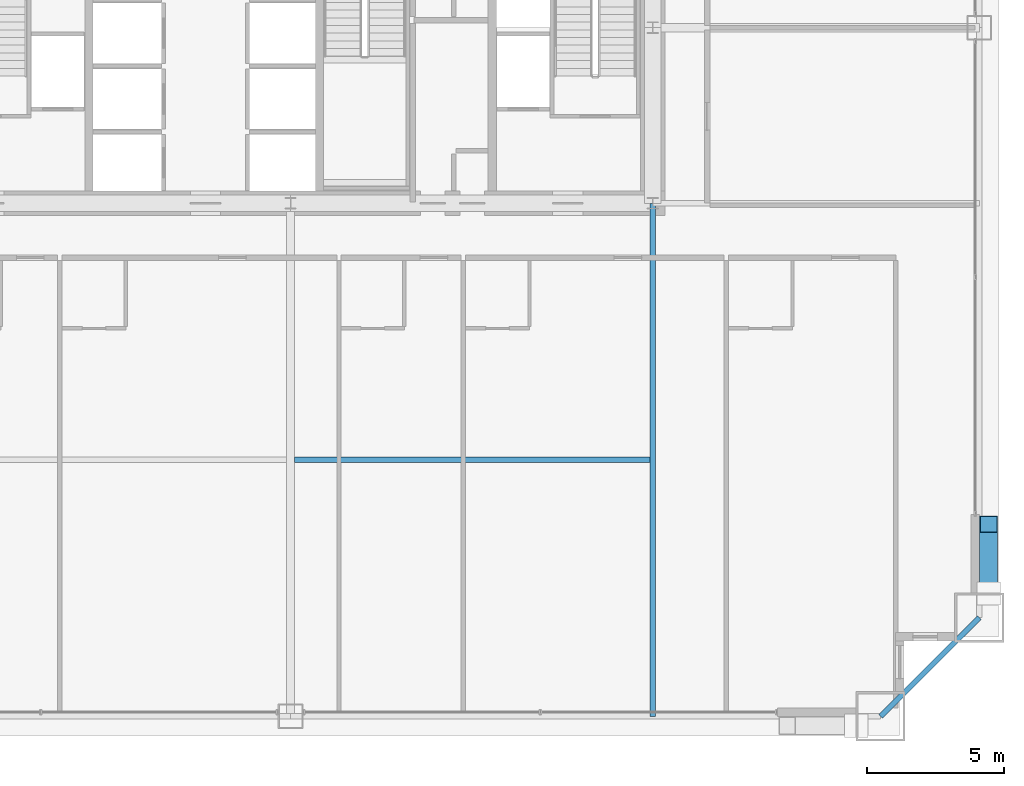
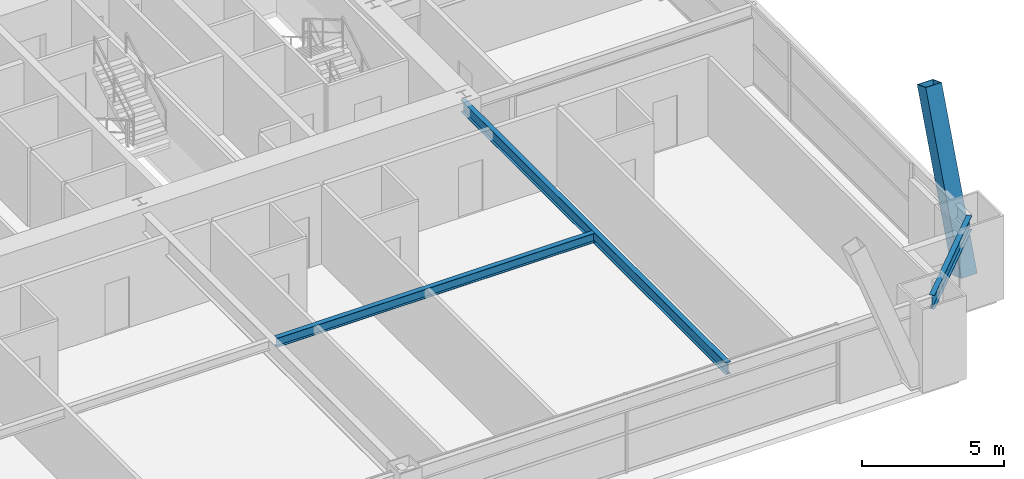
# One storey, part 16 of 43: 3 beams, 1 member.
"""IFC4 building model written with IfcOpenShell, lengths in metres."""

from ifc_helpers import new_model, si_unit, direction, frame, origin, origin_2d, place, context, subcontext, project, spatial, hollow_rectangle, i_section, extrude, source, transform, mapped, material, material_profile, profile_set, type_object, element, save


model = new_model("IFC4")

# Units and contexts
model_context = context("Model", 3, precision=1e-05, world=origin(), true_north=direction((0.0, 1.0)))
body_context = subcontext(model_context, "Body", "Model", "MODEL_VIEW")
ifc_project = project(units=[si_unit("LENGTHUNIT", "METRE"), si_unit("AREAUNIT", "SQUARE_METRE"), si_unit("VOLUMEUNIT", "CUBIC_METRE"), si_unit("PLANEANGLEUNIT", "RADIAN"), si_unit("MASSUNIT", "GRAM", prefix="KILO"), si_unit("THERMODYNAMICTEMPERATUREUNIT", "KELVIN"), si_unit("POWERUNIT", "WATT")], contexts=[model_context])

# Site, building, storey
site_placement = place(None, origin())
site = spatial("IfcSite", under=ifc_project, at=site_placement, CompositionType="ELEMENT")
building_placement = place(site_placement, origin())
building = spatial("IfcBuilding", under=site, at=building_placement, Name="Yuzanri Waterfront Tower", CompositionType="ELEMENT")
storey_placement = place(building_placement, frame((0.0, 0.0, 67.60009765625)))
storey = spatial("IfcBuildingStorey", under=building, at=storey_placement, Name="L17", CompositionType="ELEMENT", Elevation=67.60009765625)

# Beams
ifc_material_1 = material(Name="Steel Q355B", Category="steel")
ifc_material_profile_1 = material_profile(ifc_material_1, i_section(OverallWidth=0.199951171875, OverallDepth=0.60009765625, WebThickness=0.010986328125, FlangeThickness=0.01708984375, at=origin_2d()), Name="HN 600x200x11x17")
ifc_profile_set_1 = profile_set([ifc_material_profile_1], Name="Steel Q355B")
beam_type_1 = type_object("IfcBeamType", Name="Perimeter Spandrel Q355B HN 600x200", PredefinedType="SPANDREL", material=ifc_profile_set_1)
shared_shape_1 = source(origin(), body_context, "Body", "SweptSolid", [
    extrude(i_section(OverallWidth=0.199951171875, OverallDepth=0.60009765625, WebThickness=0.010986328125, FlangeThickness=0.01708984375, at=origin_2d()), origin(), (0.0, 0.0, 1.0), 5.09130859375),
])
beam_1_placement = place(storey_placement, frame((58.5, 0.699951171875, 3.079833984375), z_axis=(0.707106781187, 0.707106781187, 0.0), x_axis=(-0.707106781187, 0.707106781187, 0.0)))
element("IfcBeam", 1, at=beam_1_placement, inside=storey, type_object=beam_type_1, Name="L17 Perimeter Spandrel S3-E1", PredefinedType="SPANDREL", context=body_context, shape_type="MappedRepresentation", body=[
    mapped(shared_shape_1, transform((0.0, 0.0, 0.0), scale=1.0)),
])
ifc_material_2 = material(Name="Steel Q355B", Category="steel")
ifc_material_profile_2 = material_profile(ifc_material_2, i_section(OverallWidth=0.199951171875, OverallDepth=0.5, WebThickness=0.010009765625, FlangeThickness=0.01611328125, at=origin_2d()), Name="HN 500x200x10x16")
ifc_profile_set_2 = profile_set([ifc_material_profile_2], Name="Steel Q355B")
beam_type_2 = type_object("IfcBeamType", Name="Secondary Floor Beam Q355B HN 500x200", PredefinedType="BEAM", material=ifc_profile_set_2)
shared_shape_2 = source(origin(), body_context, "Body", "SweptSolid", [
    extrude(i_section(OverallWidth=0.199951171875, OverallDepth=0.5, WebThickness=0.010009765625, FlangeThickness=0.01611328125, at=origin_2d()), origin(), (0.0, 0.0, 1.0), 18.699951171875),
])
beam_2_placement = place(storey_placement, frame((50.199951171875, 19.39990234375, 3.1298828125), z_axis=(0.0, -1.0, 0.0), x_axis=(1.0, 0.0, 0.0)))
element("IfcBeam", 2, at=beam_2_placement, inside=storey, type_object=beam_type_2, Name="L17 South-East Core Line Beam", PredefinedType="BEAM", context=body_context, shape_type="MappedRepresentation", body=[
    mapped(shared_shape_2, transform((0.0, 0.0, 0.0), scale=1.0)),
])
ifc_material_3 = material(Name="Steel Q355B", Category="steel")
ifc_material_profile_3 = material_profile(ifc_material_3, i_section(OverallWidth=0.199951171875, OverallDepth=0.39990234375, WebThickness=0.008056640625, FlangeThickness=0.012939453125, at=origin_2d()), Name="HN 400x200x8x13")
ifc_profile_set_3 = profile_set([ifc_material_profile_3], Name="Steel Q355B")
beam_type_3 = type_object("IfcBeamType", Name="Floor Joist Q355B HN 400x200", PredefinedType="JOIST", material=ifc_profile_set_3)
shared_shape_3 = source(origin(), body_context, "Body", "SweptSolid", [
    extrude(i_section(OverallWidth=0.199951171875, OverallDepth=0.39990234375, WebThickness=0.008056640625, FlangeThickness=0.012939453125, at=origin_2d()), origin(), (0.0, 0.0, 1.0), 12.9501953125),
])
beam_3_placement = place(storey_placement, frame((37.14990234375, 10.050048828125, 3.179931640625), z_axis=(1.0, 0.0, 0.0), x_axis=(0.0, 1.0, 0.0)))
element("IfcBeam", 3, at=beam_3_placement, inside=storey, type_object=beam_type_3, Name="L17 South Bay Joist E", PredefinedType="JOIST", context=body_context, shape_type="MappedRepresentation", body=[
    mapped(shared_shape_3, transform((0.0, 0.0, 0.0), scale=1.0)),
])

# Member
ifc_material_4 = material(Name="Steel Q420GJC", Category="steel")
ifc_material_profile_4 = material_profile(ifc_material_4, hollow_rectangle(XDim=0.64990234375, YDim=0.64990234375, WallThickness=0.028076171875, at=origin_2d()), Name="RHS 650x650x28")
ifc_profile_set_4 = profile_set([ifc_material_profile_4], Name="Steel Q420GJC")
member_type = type_object("IfcMemberType", Name="Mega Brace Lower Q420GJC RHS 650x650x28", PredefinedType="BRACE", material=ifc_profile_set_4)
shared_shape_4 = source(origin(), body_context, "Body", "SweptSolid", [
    extrude(hollow_rectangle(XDim=0.64990234375, YDim=0.64990234375, WallThickness=0.028076171875, at=origin_2d()), origin(), (0.0, 0.0, 1.0), 7.158203125),
])
member_placement = place(storey_placement, frame((62.43994140625, 5.179931640625, 0.179931640625), z_axis=(0.0, 0.352046480343, 0.935982518896), x_axis=(-1.0, 0.0, 0.0)))
element("IfcMember", 4, at=member_placement, inside=storey, type_object=member_type, Name="L17-L18 Perimeter Mega-Brace E-L", PredefinedType="BRACE", context=body_context, shape_type="MappedRepresentation", body=[
    mapped(shared_shape_4, transform((0.0, 0.0, 0.0), scale=1.0)),
])

save(model, "model.ifc")
